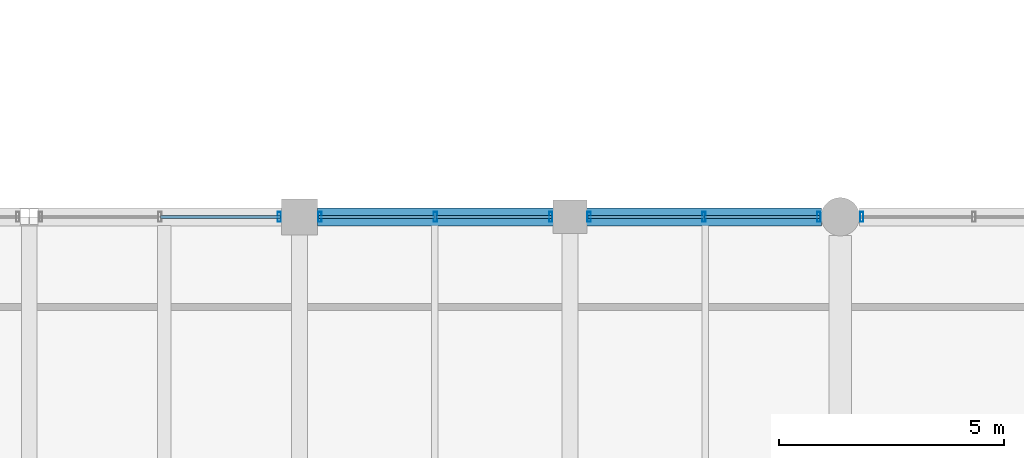
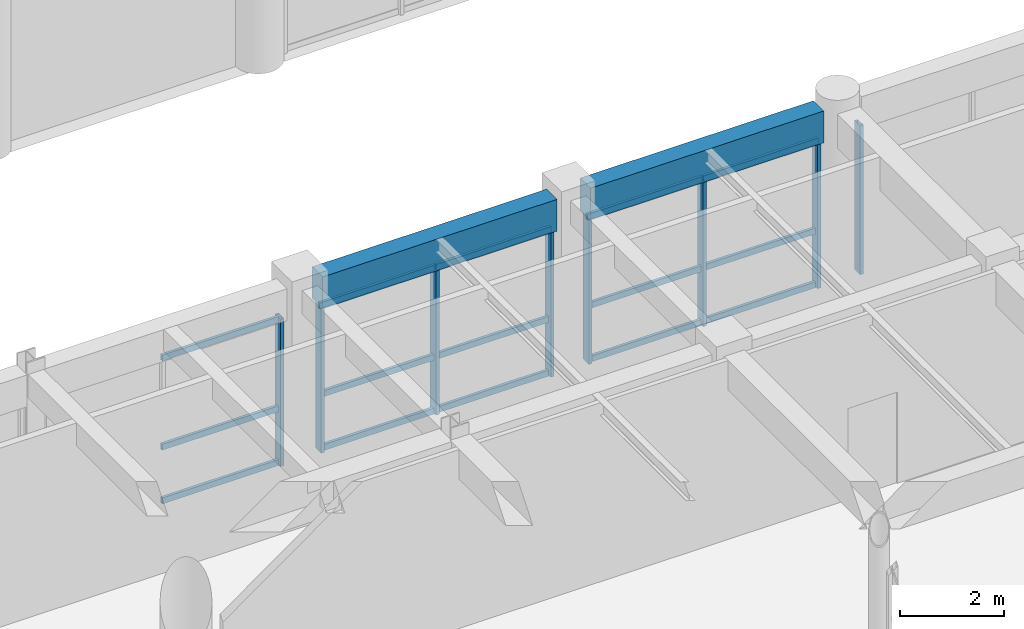
# One storey, part 50 of 133: 23 members, 2 beams, 4 elements without a shape of their own.
"""IFC4 building model written with IfcOpenShell, lengths in metres."""

import ifcopenshell
import ifcopenshell.guid

model = None  # the IFC model being written
_history = None  # IfcOwnerHistory: only IFC2X3 demands one
_inside = {}  # id of a spatial element -> (the spatial element, [elements in it])
_under = {}  # id of a project, library or spatial element -> (it, [spatial elements below it])
_declared = {}  # id of a project -> (the project, [libraries it declares])
_typed = {}  # id of a type object -> (the type object, [elements of that type])
_made_of = {}  # id of a material, layer set ... -> (it, [elements and type objects made of it])


def new_model(schema):
    """Start an empty IFC model of exactly this schema.

    Asked for "IFC4X3", IfcOpenShell would pick the latest addendum, in which some entities
    have other attributes; the version numbers below select the first issue.
    IFC2X3 requires an IfcOwnerHistory on every rooted entity: one is made here for all.
    """
    global model, _history
    if schema == "IFC4X3":
        model = ifcopenshell.file(schema_version=(4, 3, 0, 0))
    else:
        model = ifcopenshell.file(schema=schema)
    _inside.clear()
    _under.clear()
    _declared.clear()
    _typed.clear()
    _made_of.clear()
    _history = None
    if model.schema == "IFC2X3":
        org = make("IfcOrganization", Name="unknown")
        user = make(
            "IfcPersonAndOrganization",
            ThePerson=make("IfcPerson", FamilyName="unknown"),
            TheOrganization=org,
        )
        app = make(
            "IfcApplication",
            ApplicationDeveloper=org,
            Version="unknown",
            ApplicationFullName="unknown",
            ApplicationIdentifier="unknown",
        )
        _history = make(
            "IfcOwnerHistory",
            OwningUser=user,
            OwningApplication=app,
            ChangeAction="ADDED",
            CreationDate=0,
        )
    return model


def make(cls, **values):
    """One entity of the class cls with the attributes given. An attribute that is None is left unset."""
    return model.create_entity(
        cls, **{name: value for name, value in values.items() if value is not None}
    )


def rooted(cls, **values):
    """An entity with a GlobalId (a new one), such as an element, a storey or a relation."""
    return make(cls, GlobalId=ifcopenshell.guid.new(), OwnerHistory=_history, **values)


def si_unit(unit_type, name, prefix=None):
    """IfcSIUnit, for example si_unit("LENGTHUNIT", "METRE", prefix="MILLI")."""
    return make("IfcSIUnit", UnitType=unit_type, Prefix=prefix, Name=name)


def assignment(units):
    """IfcUnitAssignment: the units of a project."""
    return None if units is None else make("IfcUnitAssignment", Units=units)


def point(xyz):
    """IfcCartesianPoint."""
    return None if xyz is None else make("IfcCartesianPoint", Coordinates=xyz)


def direction(xyz):
    """IfcDirection."""
    return None if xyz is None else make("IfcDirection", DirectionRatios=xyz)


def frame(location, z_axis=None, x_axis=None):
    """IfcAxis2Placement3D, a coordinate frame: its origin and axes. An axis left out is left unset."""
    return make(
        "IfcAxis2Placement3D",
        Location=point(location),
        Axis=direction(z_axis),
        RefDirection=direction(x_axis),
    )


def frame_2d(location, x_axis=None):
    """IfcAxis2Placement2D, a coordinate frame in the plane: its origin and x axis."""
    return make(
        "IfcAxis2Placement2D", Location=point(location), RefDirection=direction(x_axis)
    )


def origin():
    """The frame at (0, 0, 0) with its axes left unset."""
    return frame((0.0, 0.0, 0.0))


def origin_2d():
    """The frame at (0, 0) in the plane with its x axis left unset."""
    return frame_2d((0.0, 0.0))


def place(relative_to, where):
    """IfcLocalPlacement: puts the frame where relative to a parent placement (None: the world)."""
    return make(
        "IfcLocalPlacement", PlacementRelTo=relative_to, RelativePlacement=where
    )


def context(
    kind, dimensions, precision=None, world=None, true_north=None, identifier=None
):
    """IfcGeometricRepresentationContext, for example the 3D "Model" context."""
    return make(
        "IfcGeometricRepresentationContext",
        ContextIdentifier=identifier,
        ContextType=kind,
        CoordinateSpaceDimension=dimensions,
        Precision=precision,
        WorldCoordinateSystem=world,
        TrueNorth=true_north,
    )


def subcontext(parent, identifier, kind, view, scale=None):
    """IfcGeometricRepresentationSubContext, for example "Body" below "Model"."""
    return make(
        "IfcGeometricRepresentationSubContext",
        ContextIdentifier=identifier,
        ContextType=kind,
        ParentContext=parent,
        TargetScale=scale,
        TargetView=view,
    )


def project(units=None, contexts=None):
    """IfcProject with its units and contexts."""
    return rooted(
        "IfcProject",
        Name="project",
        RepresentationContexts=contexts,
        UnitsInContext=assignment(units),
    )


def spatial(cls, under=None, at=None, **own):
    """A site, building, storey or space (cls), placed at a placement, below another one or the project."""
    s = rooted(cls, ObjectPlacement=at, **own)
    if under is not None:
        _under.setdefault(under.id(), (under, []))[1].append(s)
    return s


def profile(cls, at=None, kind="AREA", **sizes):
    """A parametric profile (cls). Its sizes go by their IFC names, for example OverallWidth=200.0."""
    return make(cls, ProfileType=kind, Position=at, **sizes)


def rectangle(**sizes):
    """IfcRectangleProfileDef."""
    return profile("IfcRectangleProfileDef", **sizes)


def hollow_rectangle(**sizes):
    """IfcRectangleHollowProfileDef."""
    return profile("IfcRectangleHollowProfileDef", **sizes)


def extrude(swept, where, along, depth):
    """IfcExtrudedAreaSolid: the profile swept, set in the frame where, extruded along a direction by depth."""
    return make(
        "IfcExtrudedAreaSolid",
        SweptArea=swept,
        Position=where,
        ExtrudedDirection=direction(along),
        Depth=depth,
    )


def shape(context_of_items, identifier, shape_type, items):
    """IfcShapeRepresentation: the items that make up one representation, for example the "Body"."""
    return make(
        "IfcShapeRepresentation",
        ContextOfItems=context_of_items,
        RepresentationIdentifier=identifier,
        RepresentationType=shape_type,
        Items=items,
    )


def material(Name=None, Category=None):
    """IfcMaterial."""
    return make("IfcMaterial", Name=Name, Category=Category)


def material_profile(
    of_material, cross_section, Name=None, Category=None, Priority=None
):
    """IfcMaterialProfile: a cross section and its material."""
    return make(
        "IfcMaterialProfile",
        Name=Name,
        Material=of_material,
        Profile=cross_section,
        Priority=Priority,
        Category=Category,
    )


def profile_set(profiles, Name=None, composite=None):
    """IfcMaterialProfileSet."""
    return make(
        "IfcMaterialProfileSet",
        Name=Name,
        MaterialProfiles=profiles,
        CompositeProfile=composite,
    )


def made_of(thing, what):
    """Note that an element or type object is made of a material, layer set ...; save() writes the relation."""
    if what is not None:
        _made_of.setdefault(what.id(), (what, []))[1].append(thing)
    return thing


def type_object(cls, material=None, **own):
    """A type object (cls), such as IfcWallType, which elements share."""
    return made_of(rooted(cls, **own), material)


def element(
    cls,
    number,
    at=None,
    inside=None,
    cuts=None,
    type_object=None,
    material=None,
    context=None,
    identifier="Body",
    shape_type=None,
    held_by="IfcProductDefinitionShape",
    body=None,
    shapes=None,
    **own,
):
    """One element of the class cls, such as IfcWall. Its Tag is "e" and its number.

    at: its placement. inside: the storey or other place that contains it. cuts: it is an
    opening in that element (IfcRelVoidsElement). A single representation is given by context,
    identifier, shape_type and body (its items); several are given by shapes. held_by: the class
    of the entity that holds the representations. save() writes the other relations.
    """
    e = rooted(cls, Tag="e%d" % number, ObjectPlacement=at, **own)
    if body is not None:
        shapes = [shape(context, identifier, shape_type, body)]
    if shapes is not None:
        e.Representation = make(held_by, Representations=shapes)
    if inside is not None:
        _inside.setdefault(inside.id(), (inside, []))[1].append(e)
    if cuts is not None:
        rooted(
            "IfcRelVoidsElement", RelatingBuildingElement=cuts, RelatedOpeningElement=e
        )
    if type_object is not None:
        _typed.setdefault(type_object.id(), (type_object, []))[1].append(e)
    return made_of(e, material)


def aggregate(whole, parts):
    """IfcRelAggregates: a whole, such as a stair, and the parts it consists of."""
    return rooted("IfcRelAggregates", RelatingObject=whole, RelatedObjects=parts)


def save(model, path):
    """Write the relations noted so far, then the file.

    IfcRelAggregates (storeys below a building ...), IfcRelContainedInSpatialStructure (elements
    in a storey), IfcRelDefinesByType, IfcRelAssociatesMaterial and IfcRelDeclares: one each for
    every whole, place, type object, material and project.
    """
    for whole, parts in _under.values():
        aggregate(whole, parts)
    for where, things in _inside.values():
        rooted(
            "IfcRelContainedInSpatialStructure",
            RelatedElements=things,
            RelatingStructure=where,
        )
    for kind, things in _typed.values():
        rooted("IfcRelDefinesByType", RelatedObjects=things, RelatingType=kind)
    for what, things in _made_of.values():
        rooted("IfcRelAssociatesMaterial", RelatedObjects=things, RelatingMaterial=what)
    for by, libraries in _declared.values():
        rooted("IfcRelDeclares", RelatingContext=by, RelatedDefinitions=libraries)
    model.write(path)


model = new_model("IFC4")

# Units and contexts
model_context = context("Model", 3, precision=1e-05, world=origin(), true_north=direction((0.0, 1.0)))
body_context = subcontext(model_context, "Body", "Model", "MODEL_VIEW")
ifc_project = project(units=[si_unit("LENGTHUNIT", "METRE"), si_unit("AREAUNIT", "SQUARE_METRE"), si_unit("VOLUMEUNIT", "CUBIC_METRE"), si_unit("PLANEANGLEUNIT", "RADIAN"), si_unit("MASSUNIT", "GRAM", prefix="KILO"), si_unit("THERMODYNAMICTEMPERATUREUNIT", "KELVIN"), si_unit("POWERUNIT", "WATT")], contexts=[model_context])

# Site, building, storey
site_placement = place(None, origin())
site = spatial("IfcSite", under=ifc_project, at=site_placement, CompositionType="ELEMENT")
building_placement = place(site_placement, origin())
building = spatial("IfcBuilding", under=site, at=building_placement, Name="Phaisarnlok Congress Hotel", CompositionType="ELEMENT")
storey_placement = place(building_placement, frame((0.0, 0.0, 6.0)))
storey = spatial("IfcBuildingStorey", under=building, at=storey_placement, Name="L01", CompositionType="ELEMENT", Elevation=6.0)

# Curtain wall, member
ifc_material_1 = material(Name="Thermally Broken Unitised Aluminium & Low-E Glazing", Category="aluminium")
curtain_wall_type_1 = type_object("IfcCurtainWallType", Name="CW-UNIT-18", PredefinedType="NOTDEFINED", material=ifc_material_1)
curtain_wall_1_placement = place(storey_placement, origin())
curtain_wall_1 = element("IfcCurtainWall", 1, at=curtain_wall_1_placement, inside=storey, type_object=curtain_wall_type_1, Name="Unitised curtain wall CW-18 (L01)", PredefinedType="NOTDEFINED")
ifc_material_2 = material(Name="Anodised Aluminium Alloy 6063-T6", Category="aluminium")
ifc_material_profile_1 = material_profile(ifc_material_2, hollow_rectangle(XDim=0.074951171875, YDim=0.219970703125, WallThickness=0.0048828125, at=origin_2d()), Name="ALU-M 75x220x5")
ifc_profile_set_1 = profile_set([ifc_material_profile_1], Name="Anodised Aluminium Alloy 6063-T6")
member_type_1 = type_object("IfcMemberType", Name="CWM-220", PredefinedType="MULLION", material=ifc_profile_set_1)
member_1_placement = place(storey_placement, frame((126.47509765625, 96.0, 0.0), z_axis=(0.0, 0.0, 1.0), x_axis=(-1.0, 0.0, 0.0)))
member_1 = element("IfcMember", 2, at=member_1_placement, type_object=member_type_1, Name="Curtain wall mullion CWM-02", PredefinedType="MULLION", context=body_context, shape_type="SweptSolid", body=[
    extrude(hollow_rectangle(XDim=0.074951171875, YDim=0.219970703125, WallThickness=0.0048828125, at=origin_2d()), origin(), (0.0, 0.0, 1.0), 3.510009765625),
])
aggregate(curtain_wall_1, [member_1])

# Curtain wall, members
curtain_wall_type_2 = type_object("IfcCurtainWallType", Name="CW-UNIT-15", PredefinedType="NOTDEFINED", material=ifc_material_1)
curtain_wall_2_placement = place(storey_placement, origin())
curtain_wall_2 = element("IfcCurtainWall", 3, at=curtain_wall_2_placement, inside=storey, type_object=curtain_wall_type_2, Name="Unitised curtain wall CW-15 (L01)", PredefinedType="NOTDEFINED")
member_2_placement = place(storey_placement, frame((125.52490234375, 96.0, 0.0), z_axis=(0.0, 0.0, 1.0), x_axis=(-1.0, 0.0, 0.0)))
member_2 = element("IfcMember", 4, at=member_2_placement, type_object=member_type_1, Name="Curtain wall mullion CWM-02", PredefinedType="MULLION", context=body_context, shape_type="SweptSolid", body=[
    extrude(hollow_rectangle(XDim=0.074951171875, YDim=0.219970703125, WallThickness=0.0048828125, at=origin_2d()), origin(), (0.0, 0.0, 1.0), 3.469970703125),
])
member_3_placement = place(storey_placement, frame((122.97509765625, 96.0, 0.0), z_axis=(0.0, 0.0, 1.0), x_axis=(-1.0, 0.0, 0.0)))
member_3 = element("IfcMember", 5, at=member_3_placement, type_object=member_type_1, Name="Curtain wall mullion CWM-02", PredefinedType="MULLION", context=body_context, shape_type="SweptSolid", body=[
    extrude(hollow_rectangle(XDim=0.074951171875, YDim=0.219970703125, WallThickness=0.0048828125, at=origin_2d()), origin(), (0.0, 0.0, 1.0), 3.469970703125),
])
member_4_placement = place(storey_placement, frame((120.425048828125, 96.0, 0.0), z_axis=(0.0, 0.0, 1.0), x_axis=(-1.0, 0.0, 0.0)))
member_4 = element("IfcMember", 6, at=member_4_placement, type_object=member_type_1, Name="Curtain wall mullion CWM-02", PredefinedType="MULLION", context=body_context, shape_type="SweptSolid", body=[
    extrude(hollow_rectangle(XDim=0.074951171875, YDim=0.219970703125, WallThickness=0.0048828125, at=origin_2d()), origin(), (0.0, 0.0, 1.0), 3.469970703125),
])

curtain_wall_3_placement = place(storey_placement, origin())
curtain_wall_3 = element("IfcCurtainWall", 7, at=curtain_wall_3_placement, inside=storey, type_object=curtain_wall_type_2, Name="Unitised curtain wall CW-15 (L01)", PredefinedType="NOTDEFINED")
member_5_placement = place(storey_placement, frame((119.574951171875, 96.0, 0.0), z_axis=(0.0, 0.0, 1.0), x_axis=(-1.0, 0.0, 0.0)))
member_5 = element("IfcMember", 8, at=member_5_placement, type_object=member_type_1, Name="Curtain wall mullion CWM-02", PredefinedType="MULLION", context=body_context, shape_type="SweptSolid", body=[
    extrude(hollow_rectangle(XDim=0.074951171875, YDim=0.219970703125, WallThickness=0.0048828125, at=origin_2d()), origin(), (0.0, 0.0, 1.0), 3.469970703125),
])
member_6_placement = place(storey_placement, frame((117.012451171875, 96.0, 0.0), z_axis=(0.0, 0.0, 1.0), x_axis=(-1.0, 0.0, 0.0)))
member_6 = element("IfcMember", 9, at=member_6_placement, type_object=member_type_1, Name="Curtain wall mullion CWM-02", PredefinedType="MULLION", context=body_context, shape_type="SweptSolid", body=[
    extrude(hollow_rectangle(XDim=0.074951171875, YDim=0.219970703125, WallThickness=0.0048828125, at=origin_2d()), origin(), (0.0, 0.0, 1.0), 3.469970703125),
])
member_7_placement = place(storey_placement, frame((114.449951171875, 96.0, 0.0), z_axis=(0.0, 0.0, 1.0), x_axis=(-1.0, 0.0, 0.0)))
member_7 = element("IfcMember", 10, at=member_7_placement, type_object=member_type_1, Name="Curtain wall mullion CWM-02", PredefinedType="MULLION", context=body_context, shape_type="SweptSolid", body=[
    extrude(hollow_rectangle(XDim=0.074951171875, YDim=0.219970703125, WallThickness=0.0048828125, at=origin_2d()), origin(), (0.0, 0.0, 1.0), 3.469970703125),
])

# Curtain wall, member
curtain_wall_type_3 = type_object("IfcCurtainWallType", Name="CW-UNIT-14", PredefinedType="NOTDEFINED", material=ifc_material_1)
curtain_wall_4_placement = place(storey_placement, origin())
curtain_wall_4 = element("IfcCurtainWall", 11, at=curtain_wall_4_placement, inside=storey, type_object=curtain_wall_type_3, Name="Unitised curtain wall CW-14 (L01)", PredefinedType="NOTDEFINED")
member_8_placement = place(storey_placement, frame((113.550048828125, 96.0, 0.0), z_axis=(0.0, 0.0, 1.0), x_axis=(-1.0, 0.0, 0.0)))
member_8 = element("IfcMember", 12, at=member_8_placement, type_object=member_type_1, Name="Curtain wall mullion CWM-02", PredefinedType="MULLION", context=body_context, shape_type="SweptSolid", body=[
    extrude(hollow_rectangle(XDim=0.074951171875, YDim=0.219970703125, WallThickness=0.0048828125, at=origin_2d()), origin(), (0.0, 0.0, 1.0), 3.469970703125),
])

# Member
ifc_material_profile_2 = material_profile(ifc_material_2, hollow_rectangle(XDim=0.06494140625, YDim=0.139892578125, WallThickness=0.00390625, at=origin_2d()), Name="ALU-T 65x140x4")
ifc_profile_set_2 = profile_set([ifc_material_profile_2], Name="Anodised Aluminium Alloy 6063-T6")
member_type_2 = type_object("IfcMemberType", Name="CWT-150", PredefinedType="USERDEFINED", material=ifc_profile_set_2)
member_9_placement = place(storey_placement, frame((125.550048828125, 96.0, 0.050048828125), z_axis=(-1.0, 0.0, 0.0), x_axis=(0.0, -1.0, 0.0)))
member_9 = element("IfcMember", 13, at=member_9_placement, type_object=member_type_2, Name="Curtain wall transom CWT-01", ObjectType="TRANSOM", PredefinedType="USERDEFINED", context=body_context, shape_type="SweptSolid", body=[
    extrude(hollow_rectangle(XDim=0.06494140625, YDim=0.139892578125, WallThickness=0.00390625, at=origin_2d()), origin(), (0.0, 0.0, 1.0), 2.56005859375),
])

member_10_placement = place(storey_placement, frame((125.550048828125, 96.0, 1.318603515625), z_axis=(-1.0, 0.0, 0.0), x_axis=(0.0, -1.0, 0.0)))
member_10 = element("IfcMember", 14, at=member_10_placement, type_object=member_type_2, Name="Curtain wall transom CWT-01", ObjectType="TRANSOM", PredefinedType="USERDEFINED", context=body_context, shape_type="SweptSolid", body=[
    extrude(hollow_rectangle(XDim=0.06494140625, YDim=0.139892578125, WallThickness=0.00390625, at=origin_2d()), origin(), (0.0, 0.0, 1.0), 2.56005859375),
])

member_11_placement = place(storey_placement, frame((125.550048828125, 96.0, 3.419921875), z_axis=(-1.0, 0.0, 0.0), x_axis=(0.0, -1.0, 0.0)))
member_11 = element("IfcMember", 15, at=member_11_placement, type_object=member_type_2, Name="Curtain wall transom CWT-01", ObjectType="TRANSOM", PredefinedType="USERDEFINED", context=body_context, shape_type="SweptSolid", body=[
    extrude(hollow_rectangle(XDim=0.06494140625, YDim=0.139892578125, WallThickness=0.00390625, at=origin_2d()), origin(), (0.0, 0.0, 1.0), 2.56005859375),
])

member_12_placement = place(storey_placement, frame((122.9599609375, 96.0, 0.050048828125), z_axis=(-1.0, 0.0, 0.0), x_axis=(0.0, -1.0, 0.0)))
member_12 = element("IfcMember", 16, at=member_12_placement, type_object=member_type_2, Name="Curtain wall transom CWT-01", ObjectType="TRANSOM", PredefinedType="USERDEFINED", context=body_context, shape_type="SweptSolid", body=[
    extrude(hollow_rectangle(XDim=0.06494140625, YDim=0.139892578125, WallThickness=0.00390625, at=origin_2d()), origin(), (0.0, 0.0, 1.0), 2.56005859375),
])

member_13_placement = place(storey_placement, frame((122.9599609375, 96.0, 1.318603515625), z_axis=(-1.0, 0.0, 0.0), x_axis=(0.0, -1.0, 0.0)))
member_13 = element("IfcMember", 17, at=member_13_placement, type_object=member_type_2, Name="Curtain wall transom CWT-01", ObjectType="TRANSOM", PredefinedType="USERDEFINED", context=body_context, shape_type="SweptSolid", body=[
    extrude(hollow_rectangle(XDim=0.06494140625, YDim=0.139892578125, WallThickness=0.00390625, at=origin_2d()), origin(), (0.0, 0.0, 1.0), 2.56005859375),
])

member_14_placement = place(storey_placement, frame((122.9599609375, 96.0, 3.419921875), z_axis=(-1.0, 0.0, 0.0), x_axis=(0.0, -1.0, 0.0)))
member_14 = element("IfcMember", 18, at=member_14_placement, type_object=member_type_2, Name="Curtain wall transom CWT-01", ObjectType="TRANSOM", PredefinedType="USERDEFINED", context=body_context, shape_type="SweptSolid", body=[
    extrude(hollow_rectangle(XDim=0.06494140625, YDim=0.139892578125, WallThickness=0.00390625, at=origin_2d()), origin(), (0.0, 0.0, 1.0), 2.56005859375),
])

aggregate(curtain_wall_2, [member_2, member_3, member_4, member_9, member_10, member_11, member_12, member_13, member_14])

member_15_placement = place(storey_placement, frame((119.60009765625, 96.0, 0.050048828125), z_axis=(-1.0, 0.0, 0.0), x_axis=(0.0, -1.0, 0.0)))
member_15 = element("IfcMember", 19, at=member_15_placement, type_object=member_type_2, Name="Curtain wall transom CWT-01", ObjectType="TRANSOM", PredefinedType="USERDEFINED", context=body_context, shape_type="SweptSolid", body=[
    extrude(hollow_rectangle(XDim=0.06494140625, YDim=0.139892578125, WallThickness=0.00390625, at=origin_2d()), origin(), (0.0, 0.0, 1.0), 2.572509765625),
])

member_16_placement = place(storey_placement, frame((119.60009765625, 96.0, 1.318603515625), z_axis=(-1.0, 0.0, 0.0), x_axis=(0.0, -1.0, 0.0)))
member_16 = element("IfcMember", 20, at=member_16_placement, type_object=member_type_2, Name="Curtain wall transom CWT-01", ObjectType="TRANSOM", PredefinedType="USERDEFINED", context=body_context, shape_type="SweptSolid", body=[
    extrude(hollow_rectangle(XDim=0.06494140625, YDim=0.139892578125, WallThickness=0.00390625, at=origin_2d()), origin(), (0.0, 0.0, 1.0), 2.572509765625),
])

member_17_placement = place(storey_placement, frame((119.60009765625, 96.0, 3.419921875), z_axis=(-1.0, 0.0, 0.0), x_axis=(0.0, -1.0, 0.0)))
member_17 = element("IfcMember", 21, at=member_17_placement, type_object=member_type_2, Name="Curtain wall transom CWT-01", ObjectType="TRANSOM", PredefinedType="USERDEFINED", context=body_context, shape_type="SweptSolid", body=[
    extrude(hollow_rectangle(XDim=0.06494140625, YDim=0.139892578125, WallThickness=0.00390625, at=origin_2d()), origin(), (0.0, 0.0, 1.0), 2.572509765625),
])

member_18_placement = place(storey_placement, frame((116.99755859375, 96.0, 0.050048828125), z_axis=(-1.0, 0.0, 0.0), x_axis=(0.0, -1.0, 0.0)))
member_18 = element("IfcMember", 22, at=member_18_placement, type_object=member_type_2, Name="Curtain wall transom CWT-01", ObjectType="TRANSOM", PredefinedType="USERDEFINED", context=body_context, shape_type="SweptSolid", body=[
    extrude(hollow_rectangle(XDim=0.06494140625, YDim=0.139892578125, WallThickness=0.00390625, at=origin_2d()), origin(), (0.0, 0.0, 1.0), 2.572509765625),
])

member_19_placement = place(storey_placement, frame((116.99755859375, 96.0, 1.318603515625), z_axis=(-1.0, 0.0, 0.0), x_axis=(0.0, -1.0, 0.0)))
member_19 = element("IfcMember", 23, at=member_19_placement, type_object=member_type_2, Name="Curtain wall transom CWT-01", ObjectType="TRANSOM", PredefinedType="USERDEFINED", context=body_context, shape_type="SweptSolid", body=[
    extrude(hollow_rectangle(XDim=0.06494140625, YDim=0.139892578125, WallThickness=0.00390625, at=origin_2d()), origin(), (0.0, 0.0, 1.0), 2.572509765625),
])

member_20_placement = place(storey_placement, frame((116.99755859375, 96.0, 3.419921875), z_axis=(-1.0, 0.0, 0.0), x_axis=(0.0, -1.0, 0.0)))
member_20 = element("IfcMember", 24, at=member_20_placement, type_object=member_type_2, Name="Curtain wall transom CWT-01", ObjectType="TRANSOM", PredefinedType="USERDEFINED", context=body_context, shape_type="SweptSolid", body=[
    extrude(hollow_rectangle(XDim=0.06494140625, YDim=0.139892578125, WallThickness=0.00390625, at=origin_2d()), origin(), (0.0, 0.0, 1.0), 2.572509765625),
])

aggregate(curtain_wall_3, [member_5, member_6, member_7, member_15, member_16, member_17, member_18, member_19, member_20])

member_21_placement = place(storey_placement, frame((113.574951171875, 96.0, 0.050048828125), z_axis=(-1.0, 0.0, 0.0), x_axis=(0.0, -1.0, 0.0)))
member_21 = element("IfcMember", 25, at=member_21_placement, type_object=member_type_2, Name="Curtain wall transom CWT-01", ObjectType="TRANSOM", PredefinedType="USERDEFINED", context=body_context, shape_type="SweptSolid", body=[
    extrude(hollow_rectangle(XDim=0.06494140625, YDim=0.139892578125, WallThickness=0.00390625, at=origin_2d()), origin(), (0.0, 0.0, 1.0), 2.65966796875),
])

member_22_placement = place(storey_placement, frame((113.574951171875, 96.0, 1.318603515625), z_axis=(-1.0, 0.0, 0.0), x_axis=(0.0, -1.0, 0.0)))
member_22 = element("IfcMember", 26, at=member_22_placement, type_object=member_type_2, Name="Curtain wall transom CWT-01", ObjectType="TRANSOM", PredefinedType="USERDEFINED", context=body_context, shape_type="SweptSolid", body=[
    extrude(hollow_rectangle(XDim=0.06494140625, YDim=0.139892578125, WallThickness=0.00390625, at=origin_2d()), origin(), (0.0, 0.0, 1.0), 2.65966796875),
])

member_23_placement = place(storey_placement, frame((113.574951171875, 96.0, 3.419921875), z_axis=(-1.0, 0.0, 0.0), x_axis=(0.0, -1.0, 0.0)))
member_23 = element("IfcMember", 27, at=member_23_placement, type_object=member_type_2, Name="Curtain wall transom CWT-01", ObjectType="TRANSOM", PredefinedType="USERDEFINED", context=body_context, shape_type="SweptSolid", body=[
    extrude(hollow_rectangle(XDim=0.06494140625, YDim=0.139892578125, WallThickness=0.00390625, at=origin_2d()), origin(), (0.0, 0.0, 1.0), 2.65966796875),
])

aggregate(curtain_wall_4, [member_8, member_21, member_22, member_23])

# Beams
ifc_material_3 = material(Name="Concrete C40/50", Category="concrete")
ifc_material_profile_3 = material_profile(ifc_material_3, rectangle(XDim=0.39990234375, YDim=0.75, at=origin_2d()), Name="RC 400x750")
ifc_profile_set_3 = profile_set([ifc_material_profile_3], Name="Concrete C40/50")
beam_type = type_object("IfcBeamType", Name="SP-RC-400x750", PredefinedType="SPANDREL", material=ifc_profile_set_3)
beam_1_placement = place(storey_placement, frame((114.39501953125, 96.0, 3.844970703125), z_axis=(1.0, 0.0, 0.0), x_axis=(0.0, 1.0, 0.0)))
element("IfcBeam", 28, at=beam_1_placement, inside=storey, type_object=beam_type, Name="Beam SP-02", PredefinedType="SPANDREL", context=body_context, shape_type="SweptSolid", body=[
    extrude(rectangle(XDim=0.39990234375, YDim=0.75, at=origin_2d()), origin(), (0.0, 0.0, 1.0), 5.23486328125),
])
beam_2_placement = place(storey_placement, frame((120.3701171875, 96.0, 3.844970703125), z_axis=(1.0, 0.0, 0.0), x_axis=(0.0, 1.0, 0.0)))
element("IfcBeam", 29, at=beam_2_placement, inside=storey, type_object=beam_type, Name="Beam SP-02", PredefinedType="SPANDREL", context=body_context, shape_type="SweptSolid", body=[
    extrude(rectangle(XDim=0.39990234375, YDim=0.75, at=origin_2d()), origin(), (0.0, 0.0, 1.0), 5.2099609375),
])

save(model, "model.ifc")
